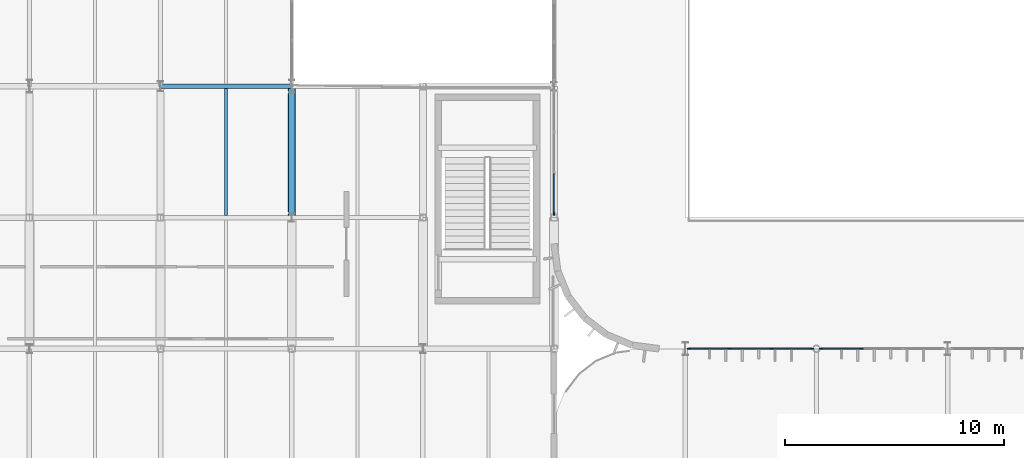
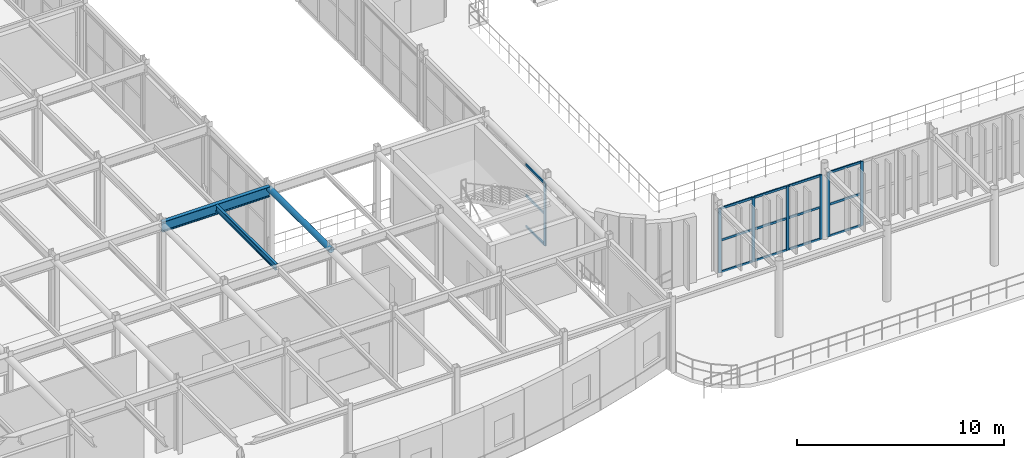
# One storey, part 26 of 96: 22 members, 3 beams, 3 elements without a shape of their own.
"""IFC4 building model written with IfcOpenShell, lengths in metres."""

from ifc_helpers import new_model, si_unit, direction, frame, origin, origin_2d, place, context, subcontext, project, spatial, rectangle, hollow_circle, i_section, extrude, material, material_profile, profile_set, type_object, element, aggregate, save


model = new_model("IFC4")

# Units and contexts
model_context = context("Model", 3, precision=1e-05, world=origin(), true_north=direction((0.0, 1.0)))
body_context = subcontext(model_context, "Body", "Model", "MODEL_VIEW")
ifc_project = project(units=[si_unit("LENGTHUNIT", "METRE"), si_unit("AREAUNIT", "SQUARE_METRE"), si_unit("VOLUMEUNIT", "CUBIC_METRE"), si_unit("PLANEANGLEUNIT", "RADIAN"), si_unit("MASSUNIT", "GRAM", prefix="KILO")], contexts=[model_context])

# Site, building, storey
site_placement = place(None, origin())
site = spatial("IfcSite", under=ifc_project, at=site_placement, CompositionType="ELEMENT")
building_placement = place(site_placement, origin())
building = spatial("IfcBuilding", under=site, at=building_placement, Name="Varnakota Square Police Headquarters", CompositionType="ELEMENT")
storey_placement = place(building_placement, frame((0.0, 0.0, 4.800048828125)))
storey = spatial("IfcBuildingStorey", under=building, at=storey_placement, Name="L01", CompositionType="ELEMENT", Elevation=4.800048828125)

# Beams
ifc_material_1 = material(Name="Steel IS 2062 Grade 350", Category="steel")
ifc_material_profile_1 = material_profile(ifc_material_1, hollow_circle(Radius=0.161865234375, WallThickness=0.0126953125, at=origin_2d()), Name="CHS 323.9x12.7")
ifc_profile_set_1 = profile_set([ifc_material_profile_1], Name="Steel IS 2062 Grade 350")
beam_type_1 = type_object("IfcBeamType", Name="BM-ARC-CHS324", PredefinedType="BEAM", material=ifc_profile_set_1)
beam_1_placement = place(storey_placement, frame((42.0, 15.0, 4.0380859375), z_axis=(0.0, 1.0, 0.0), x_axis=(-1.0, 0.0, 0.0)))
element("IfcBeam", 1, at=beam_1_placement, inside=storey, type_object=beam_type_1, Name="BMG-L01-1615", PredefinedType="BEAM", context=body_context, shape_type="SweptSolid", body=[
    extrude(hollow_circle(Radius=0.161865234375, WallThickness=0.0126953125, at=origin_2d()), origin(), (0.0, 0.0, 1.0), 6.0),
])
ifc_material_profile_2 = material_profile(ifc_material_1, i_section(OverallWidth=0.139892578125, OverallDepth=0.35009765625, WebThickness=0.008056640625, FlangeThickness=0.01416015625, FilletRadius=0.013916015625, at=origin_2d()), Name="ISMB 350")
ifc_profile_set_2 = profile_set([ifc_material_profile_2], Name="Steel IS 2062 Grade 350")
beam_type_2 = type_object("IfcBeamType", Name="BM-ISMB350", PredefinedType="JOIST", material=ifc_profile_set_2)
beam_2_placement = place(storey_placement, frame((39.0, 15.10302734375, 4.02490234375), z_axis=(0.0, 1.0, 0.0), x_axis=(-1.0, 0.0, 0.0)))
element("IfcBeam", 2, at=beam_2_placement, inside=storey, type_object=beam_type_2, Name="BMG-L01-1825", PredefinedType="JOIST", context=body_context, shape_type="SweptSolid", body=[
    extrude(i_section(OverallWidth=0.139892578125, OverallDepth=0.35009765625, WebThickness=0.008056640625, FlangeThickness=0.01416015625, FilletRadius=0.013916015625, at=origin_2d()), origin(), (0.0, 0.0, 1.0), 5.7939453125),
])
ifc_material_profile_3 = material_profile(ifc_material_1, i_section(OverallWidth=0.2099609375, OverallDepth=0.60009765625, WebThickness=0.011962890625, FlangeThickness=0.020751953125, FilletRadius=0.02001953125, at=origin_2d()), Name="ISMB 600")
ifc_profile_set_3 = profile_set([ifc_material_profile_3], Name="Steel IS 2062 Grade 350")
beam_type_3 = type_object("IfcBeamType", Name="BM-ISMB600", PredefinedType="BEAM", material=ifc_profile_set_3)
beam_3_placement = place(storey_placement, frame((36.0, 21.0, 3.89990234375), z_axis=(1.0, 0.0, 0.0), x_axis=(0.0, 1.0, 0.0)))
element("IfcBeam", 3, at=beam_3_placement, inside=storey, type_object=beam_type_3, Name="BMG-L01-1357", PredefinedType="BEAM", context=body_context, shape_type="SweptSolid", body=[
    extrude(i_section(OverallWidth=0.2099609375, OverallDepth=0.60009765625, WebThickness=0.011962890625, FlangeThickness=0.020751953125, FilletRadius=0.02001953125, at=origin_2d()), origin(), (0.0, 0.0, 1.0), 6.0),
])

# Curtain wall, members
ifc_material_2 = material(Name="Anodised Aluminium Framing", Category="aluminium")
curtain_wall_type = type_object("IfcCurtainWallType", Name="CW-SYS-B", PredefinedType="NOTDEFINED", material=ifc_material_2)
curtain_wall_1_placement = place(storey_placement, origin())
curtain_wall_1 = element("IfcCurtainWall", 4, at=curtain_wall_1_placement, inside=storey, type_object=curtain_wall_type, Name="Unitised curtain wall CWG-L01-016", PredefinedType="NOTDEFINED")
ifc_material_3 = material(Name="Anodised Aluminium 6063-T6", Category="aluminium")
ifc_material_profile_4 = material_profile(ifc_material_3, rectangle(XDim=0.06494140625, YDim=0.159912109375, at=origin_2d()), Name="ALU MULLION 65x160")
ifc_profile_set_4 = profile_set([ifc_material_profile_4], Name="Anodised Aluminium 6063-T6")
member_type_1 = type_object("IfcMemberType", Name="CWM-150", PredefinedType="MULLION", material=ifc_profile_set_4)
member_1_placement = place(storey_placement, frame((60.16259765625, 9.0, 0.0), z_axis=(0.0, 0.0, 1.0), x_axis=(0.0, 1.0, 0.0)))
member_1 = element("IfcMember", 5, at=member_1_placement, type_object=member_type_1, Name="CWG-L01-016 mullion 1", PredefinedType="MULLION", context=body_context, shape_type="SweptSolid", body=[
    extrude(rectangle(XDim=0.06494140625, YDim=0.159912109375, at=origin_2d()), origin(), (0.0, 0.0, 1.0), 3.7900390625),
])
member_2_placement = place(storey_placement, frame((62.031005859375, 9.0, 0.0), z_axis=(0.0, 0.0, 1.0), x_axis=(0.0, 1.0, 0.0)))
member_2 = element("IfcMember", 6, at=member_2_placement, type_object=member_type_1, Name="CWG-L01-016 mullion 2", PredefinedType="MULLION", context=body_context, shape_type="SweptSolid", body=[
    extrude(rectangle(XDim=0.06494140625, YDim=0.159912109375, at=origin_2d()), origin(), (0.0, 0.0, 1.0), 3.7900390625),
])
member_3_placement = place(storey_placement, frame((63.93212890625, 9.0, 0.0), z_axis=(0.0, 0.0, 1.0), x_axis=(0.0, 1.0, 0.0)))
member_3 = element("IfcMember", 7, at=member_3_placement, type_object=member_type_1, Name="CWG-L01-016 mullion 3", PredefinedType="MULLION", context=body_context, shape_type="SweptSolid", body=[
    extrude(rectangle(XDim=0.06494140625, YDim=0.159912109375, at=origin_2d()), origin(), (0.0, 0.0, 1.0), 3.7900390625),
])
member_4_placement = place(storey_placement, frame((65.800537109375, 9.0, 0.0), z_axis=(0.0, 0.0, 1.0), x_axis=(0.0, 1.0, 0.0)))
member_4 = element("IfcMember", 8, at=member_4_placement, type_object=member_type_1, Name="CWG-L01-016 mullion 4", PredefinedType="MULLION", context=body_context, shape_type="SweptSolid", body=[
    extrude(rectangle(XDim=0.06494140625, YDim=0.159912109375, at=origin_2d()), origin(), (0.0, 0.0, 1.0), 3.7900390625),
])

curtain_wall_2_placement = place(storey_placement, origin())
curtain_wall_2 = element("IfcCurtainWall", 9, at=curtain_wall_2_placement, inside=storey, type_object=curtain_wall_type, Name="Unitised curtain wall CWG-L01-017", PredefinedType="NOTDEFINED")
member_5_placement = place(storey_placement, frame((66.199462890625, 9.0, 0.0), z_axis=(0.0, 0.0, 1.0), x_axis=(0.0, 1.0, 0.0)))
member_5 = element("IfcMember", 10, at=member_5_placement, type_object=member_type_1, Name="CWG-L01-017 mullion 1", PredefinedType="MULLION", context=body_context, shape_type="SweptSolid", body=[
    extrude(rectangle(XDim=0.06494140625, YDim=0.159912109375, at=origin_2d()), origin(), (0.0, 0.0, 1.0), 3.7900390625),
])
member_6_placement = place(storey_placement, frame((68.06787109375, 9.0, 0.0), z_axis=(0.0, 0.0, 1.0), x_axis=(0.0, 1.0, 0.0)))
member_6 = element("IfcMember", 11, at=member_6_placement, type_object=member_type_1, Name="CWG-L01-017 mullion 2", PredefinedType="MULLION", context=body_context, shape_type="SweptSolid", body=[
    extrude(rectangle(XDim=0.06494140625, YDim=0.159912109375, at=origin_2d()), origin(), (0.0, 0.0, 1.0), 3.7900390625),
])

# Curtain wall, member
curtain_wall_3_placement = place(storey_placement, origin())
curtain_wall_3 = element("IfcCurtainWall", 12, at=curtain_wall_3_placement, inside=storey, type_object=curtain_wall_type, Name="Unitised curtain wall CWG-L01-028", PredefinedType="NOTDEFINED")
member_7_placement = place(storey_placement, frame((54.0, 15.1875, 0.0), z_axis=(0.0, 0.0, 1.0), x_axis=(-1.0, 0.0, 0.0)))
member_7 = element("IfcMember", 13, at=member_7_placement, type_object=member_type_1, Name="CWG-L01-028 mullion 1", PredefinedType="MULLION", context=body_context, shape_type="SweptSolid", body=[
    extrude(rectangle(XDim=0.06494140625, YDim=0.159912109375, at=origin_2d()), origin(), (0.0, 0.0, 1.0), 3.68994140625),
])

# Member
ifc_material_profile_5 = material_profile(ifc_material_3, rectangle(XDim=0.06494140625, YDim=0.1298828125, at=origin_2d()), Name="ALU TRANSOM 65x130")
ifc_profile_set_5 = profile_set([ifc_material_profile_5], Name="Anodised Aluminium 6063-T6")
member_type_2 = type_object("IfcMemberType", Name="CWT-120", PredefinedType="USERDEFINED", material=ifc_profile_set_5)
member_8_placement = place(storey_placement, frame((60.195068359375, 9.0, 0.032470703125), z_axis=(1.0, 0.0, 0.0), x_axis=(0.0, 1.0, 0.0)))
member_8 = element("IfcMember", 14, at=member_8_placement, type_object=member_type_2, Name="CWG-L01-016 transom 1.1", ObjectType="TRANSOM", PredefinedType="USERDEFINED", context=body_context, shape_type="SweptSolid", body=[
    extrude(rectangle(XDim=0.06494140625, YDim=0.1298828125, at=origin_2d()), origin(), (0.0, 0.0, 1.0), 1.803466796875),
])

member_9_placement = place(storey_placement, frame((60.195068359375, 9.0, 1.89501953125), z_axis=(1.0, 0.0, 0.0), x_axis=(0.0, 1.0, 0.0)))
member_9 = element("IfcMember", 15, at=member_9_placement, type_object=member_type_2, Name="CWG-L01-016 transom 1.2", ObjectType="TRANSOM", PredefinedType="USERDEFINED", context=body_context, shape_type="SweptSolid", body=[
    extrude(rectangle(XDim=0.06494140625, YDim=0.1298828125, at=origin_2d()), origin(), (0.0, 0.0, 1.0), 1.803466796875),
])

member_10_placement = place(storey_placement, frame((60.195068359375, 9.0, 3.757568359375), z_axis=(1.0, 0.0, 0.0), x_axis=(0.0, 1.0, 0.0)))
member_10 = element("IfcMember", 16, at=member_10_placement, type_object=member_type_2, Name="CWG-L01-016 transom 1.3", ObjectType="TRANSOM", PredefinedType="USERDEFINED", context=body_context, shape_type="SweptSolid", body=[
    extrude(rectangle(XDim=0.06494140625, YDim=0.1298828125, at=origin_2d()), origin(), (0.0, 0.0, 1.0), 1.803466796875),
])

member_11_placement = place(storey_placement, frame((62.0634765625, 9.0, 0.032470703125), z_axis=(1.0, 0.0, 0.0), x_axis=(0.0, 1.0, 0.0)))
member_11 = element("IfcMember", 17, at=member_11_placement, type_object=member_type_2, Name="CWG-L01-016 transom 2.1", ObjectType="TRANSOM", PredefinedType="USERDEFINED", context=body_context, shape_type="SweptSolid", body=[
    extrude(rectangle(XDim=0.06494140625, YDim=0.1298828125, at=origin_2d()), origin(), (0.0, 0.0, 1.0), 1.836181640625),
])

member_12_placement = place(storey_placement, frame((62.0634765625, 9.0, 1.89501953125), z_axis=(1.0, 0.0, 0.0), x_axis=(0.0, 1.0, 0.0)))
member_12 = element("IfcMember", 18, at=member_12_placement, type_object=member_type_2, Name="CWG-L01-016 transom 2.2", ObjectType="TRANSOM", PredefinedType="USERDEFINED", context=body_context, shape_type="SweptSolid", body=[
    extrude(rectangle(XDim=0.06494140625, YDim=0.1298828125, at=origin_2d()), origin(), (0.0, 0.0, 1.0), 1.836181640625),
])

member_13_placement = place(storey_placement, frame((62.0634765625, 9.0, 3.757568359375), z_axis=(1.0, 0.0, 0.0), x_axis=(0.0, 1.0, 0.0)))
member_13 = element("IfcMember", 19, at=member_13_placement, type_object=member_type_2, Name="CWG-L01-016 transom 2.3", ObjectType="TRANSOM", PredefinedType="USERDEFINED", context=body_context, shape_type="SweptSolid", body=[
    extrude(rectangle(XDim=0.06494140625, YDim=0.1298828125, at=origin_2d()), origin(), (0.0, 0.0, 1.0), 1.836181640625),
])

member_14_placement = place(storey_placement, frame((63.964599609375, 9.0, 0.032470703125), z_axis=(1.0, 0.0, 0.0), x_axis=(0.0, 1.0, 0.0)))
member_14 = element("IfcMember", 20, at=member_14_placement, type_object=member_type_2, Name="CWG-L01-016 transom 3.1", ObjectType="TRANSOM", PredefinedType="USERDEFINED", context=body_context, shape_type="SweptSolid", body=[
    extrude(rectangle(XDim=0.06494140625, YDim=0.1298828125, at=origin_2d()), origin(), (0.0, 0.0, 1.0), 1.803466796875),
])

member_15_placement = place(storey_placement, frame((63.964599609375, 9.0, 1.89501953125), z_axis=(1.0, 0.0, 0.0), x_axis=(0.0, 1.0, 0.0)))
member_15 = element("IfcMember", 21, at=member_15_placement, type_object=member_type_2, Name="CWG-L01-016 transom 3.2", ObjectType="TRANSOM", PredefinedType="USERDEFINED", context=body_context, shape_type="SweptSolid", body=[
    extrude(rectangle(XDim=0.06494140625, YDim=0.1298828125, at=origin_2d()), origin(), (0.0, 0.0, 1.0), 1.803466796875),
])

member_16_placement = place(storey_placement, frame((63.964599609375, 9.0, 3.757568359375), z_axis=(1.0, 0.0, 0.0), x_axis=(0.0, 1.0, 0.0)))
member_16 = element("IfcMember", 22, at=member_16_placement, type_object=member_type_2, Name="CWG-L01-016 transom 3.3", ObjectType="TRANSOM", PredefinedType="USERDEFINED", context=body_context, shape_type="SweptSolid", body=[
    extrude(rectangle(XDim=0.06494140625, YDim=0.1298828125, at=origin_2d()), origin(), (0.0, 0.0, 1.0), 1.803466796875),
])

aggregate(curtain_wall_1, [member_1, member_2, member_3, member_4, member_8, member_9, member_10, member_11, member_12, member_13, member_14, member_15, member_16])

member_17_placement = place(storey_placement, frame((66.23193359375, 9.0, 0.032470703125), z_axis=(1.0, 0.0, 0.0), x_axis=(0.0, 1.0, 0.0)))
member_17 = element("IfcMember", 23, at=member_17_placement, type_object=member_type_2, Name="CWG-L01-017 transom 1.1", ObjectType="TRANSOM", PredefinedType="USERDEFINED", context=body_context, shape_type="SweptSolid", body=[
    extrude(rectangle(XDim=0.06494140625, YDim=0.1298828125, at=origin_2d()), origin(), (0.0, 0.0, 1.0), 1.803466796875),
])

member_18_placement = place(storey_placement, frame((66.23193359375, 9.0, 1.89501953125), z_axis=(1.0, 0.0, 0.0), x_axis=(0.0, 1.0, 0.0)))
member_18 = element("IfcMember", 24, at=member_18_placement, type_object=member_type_2, Name="CWG-L01-017 transom 1.2", ObjectType="TRANSOM", PredefinedType="USERDEFINED", context=body_context, shape_type="SweptSolid", body=[
    extrude(rectangle(XDim=0.06494140625, YDim=0.1298828125, at=origin_2d()), origin(), (0.0, 0.0, 1.0), 1.803466796875),
])

member_19_placement = place(storey_placement, frame((66.23193359375, 9.0, 3.757568359375), z_axis=(1.0, 0.0, 0.0), x_axis=(0.0, 1.0, 0.0)))
member_19 = element("IfcMember", 25, at=member_19_placement, type_object=member_type_2, Name="CWG-L01-017 transom 1.3", ObjectType="TRANSOM", PredefinedType="USERDEFINED", context=body_context, shape_type="SweptSolid", body=[
    extrude(rectangle(XDim=0.06494140625, YDim=0.1298828125, at=origin_2d()), origin(), (0.0, 0.0, 1.0), 1.803466796875),
])

aggregate(curtain_wall_2, [member_5, member_6, member_17, member_18, member_19])

member_20_placement = place(storey_placement, frame((54.0, 15.219970703125, 0.032470703125), z_axis=(0.0, 1.0, 0.0), x_axis=(-1.0, 0.0, 0.0)))
member_20 = element("IfcMember", 26, at=member_20_placement, type_object=member_type_2, Name="CWG-L01-028 transom 1.1", ObjectType="TRANSOM", PredefinedType="USERDEFINED", context=body_context, shape_type="SweptSolid", body=[
    extrude(rectangle(XDim=0.06494140625, YDim=0.1298828125, at=origin_2d()), origin(), (0.0, 0.0, 1.0), 1.782470703125),
])

member_21_placement = place(storey_placement, frame((54.0, 15.219970703125, 1.844970703125), z_axis=(0.0, 1.0, 0.0), x_axis=(-1.0, 0.0, 0.0)))
member_21 = element("IfcMember", 27, at=member_21_placement, type_object=member_type_2, Name="CWG-L01-028 transom 1.2", ObjectType="TRANSOM", PredefinedType="USERDEFINED", context=body_context, shape_type="SweptSolid", body=[
    extrude(rectangle(XDim=0.06494140625, YDim=0.1298828125, at=origin_2d()), origin(), (0.0, 0.0, 1.0), 1.782470703125),
])

member_22_placement = place(storey_placement, frame((54.0, 15.219970703125, 3.657470703125), z_axis=(0.0, 1.0, 0.0), x_axis=(-1.0, 0.0, 0.0)))
member_22 = element("IfcMember", 28, at=member_22_placement, type_object=member_type_2, Name="CWG-L01-028 transom 1.3", ObjectType="TRANSOM", PredefinedType="USERDEFINED", context=body_context, shape_type="SweptSolid", body=[
    extrude(rectangle(XDim=0.06494140625, YDim=0.1298828125, at=origin_2d()), origin(), (0.0, 0.0, 1.0), 1.782470703125),
])

aggregate(curtain_wall_3, [member_7, member_20, member_21, member_22])

save(model, "model.ifc")
